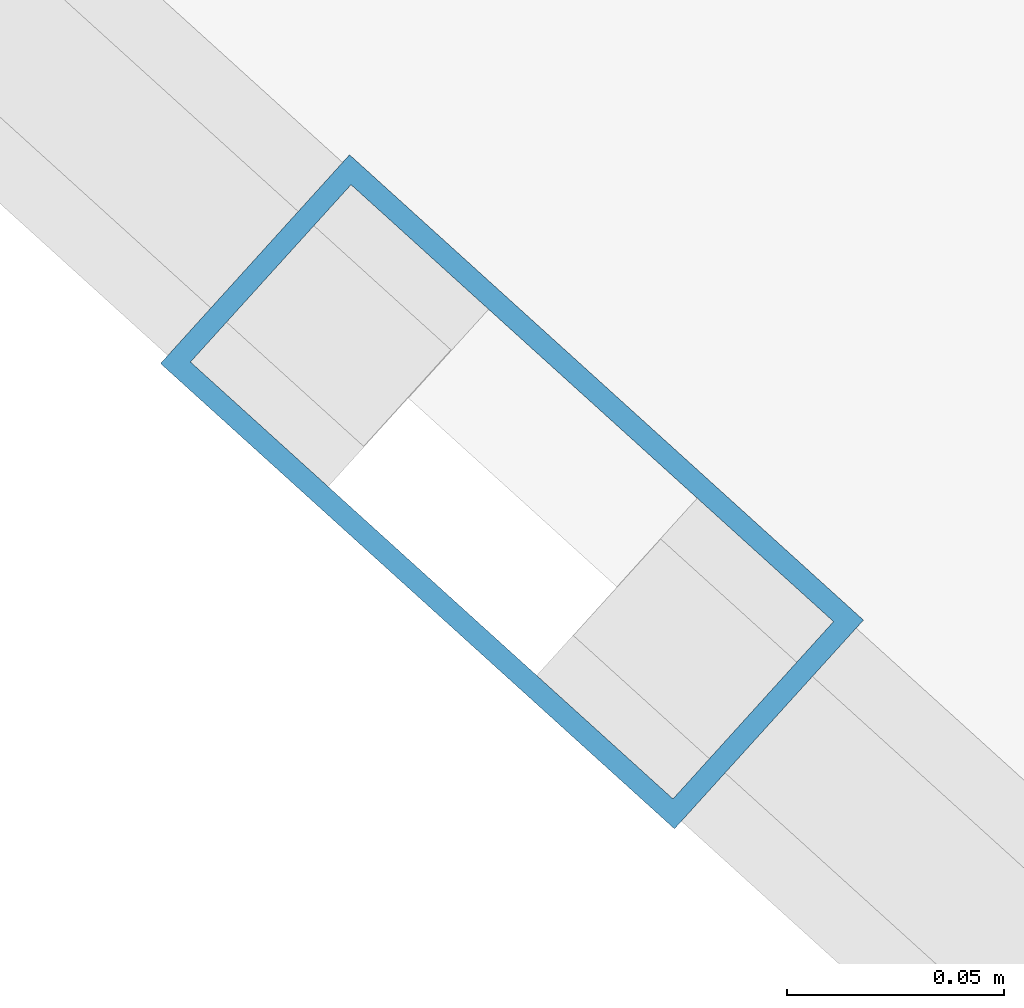
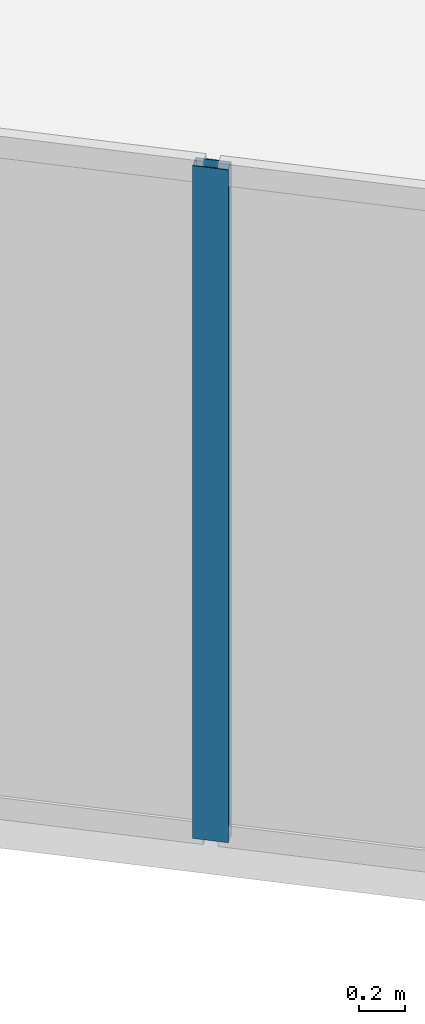
# One storey, part 2 of 15: 1 member, 1 element without a shape of its own.
"""IFC4 building model written with IfcOpenShell, lengths in metres."""

from ifc_helpers import new_model, si_unit, direction, frame, origin, origin_2d, place, context, subcontext, project, spatial, hollow_rectangle, extrude, material, layer, layer_set, material_profile, profile_set, type_object, element, aggregate, save


model = new_model("IFC4")

# Units and contexts
model_context = context("Model", 3, precision=1e-05, world=origin(), true_north=direction((0.0, 1.0)))
body_context = subcontext(model_context, "Body", "Model", "MODEL_VIEW")
ifc_project = project(units=[si_unit("LENGTHUNIT", "METRE"), si_unit("AREAUNIT", "SQUARE_METRE"), si_unit("VOLUMEUNIT", "CUBIC_METRE"), si_unit("PLANEANGLEUNIT", "RADIAN"), si_unit("MASSUNIT", "GRAM", prefix="KILO")], contexts=[model_context])

# Site, building, storey
site_placement = place(None, origin())
site = spatial("IfcSite", under=ifc_project, at=site_placement, CompositionType="ELEMENT")
building_placement = place(site_placement, origin())
building = spatial("IfcBuilding", under=site, at=building_placement, Name="Qianvela Tower", CompositionType="ELEMENT")
storey_placement = place(building_placement, frame((0.0, 0.0, 360.050048828125)))
storey = spatial("IfcBuildingStorey", under=building, at=storey_placement, Name="L93", CompositionType="ELEMENT", Elevation=360.050048828125)

# Curtain wall, member
ifc_material_1 = material(Name="Anodised Architectural Aluminium and Low-E Glass", Category="aluminium")
ifc_layer = layer(ifc_material_1, 0.159912109375)
ifc_layer_set = layer_set([ifc_layer], Name="Anodised Architectural Aluminium and Low-E Glass")
curtain_wall_type = type_object("IfcCurtainWallType", Name="CW-CROWN", PredefinedType="USERDEFINED", material=ifc_layer_set)
curtain_wall_placement = place(storey_placement, origin())
curtain_wall = element("IfcCurtainWall", 1, at=curtain_wall_placement, inside=storey, type_object=curtain_wall_type, Name="L93 CW-CROWN Curtain Wall 04", ObjectType="CURTAIN_WALL_SYSTEM", PredefinedType="USERDEFINED")
ifc_material_2 = material(Name="Anodised Architectural Aluminium 6063-T6", Category="aluminium")
ifc_material_profile = material_profile(ifc_material_2, hollow_rectangle(XDim=0.06494140625, YDim=0.159912109375, WallThickness=0.0048828125, at=origin_2d()), Name="ALU-MULL-65x160")
ifc_profile_set = profile_set([ifc_material_profile], Name="Anodised Architectural Aluminium 6063-T6")
member_type = type_object("IfcMemberType", Name="CW-CROWN-MULL", PredefinedType="MULLION", material=ifc_profile_set)
member_placement = place(storey_placement, frame((32.349365234375, 13.54345703125, 0.0), z_axis=(0.0, 0.0, 1.0), x_axis=(0.671200977074, 0.741275420053, 0.0)))
member = element("IfcMember", 2, at=member_placement, type_object=member_type, Name="CW-8 mullion 3", PredefinedType="MULLION", context=body_context, shape_type="SweptSolid", body=[
    extrude(hollow_rectangle(XDim=0.06494140625, YDim=0.159912109375, WallThickness=0.0048828125, at=origin_2d()), origin(), (0.0, 0.0, 1.0), 3.550048828125),
])
aggregate(curtain_wall, [member])

save(model, "model.ifc")
